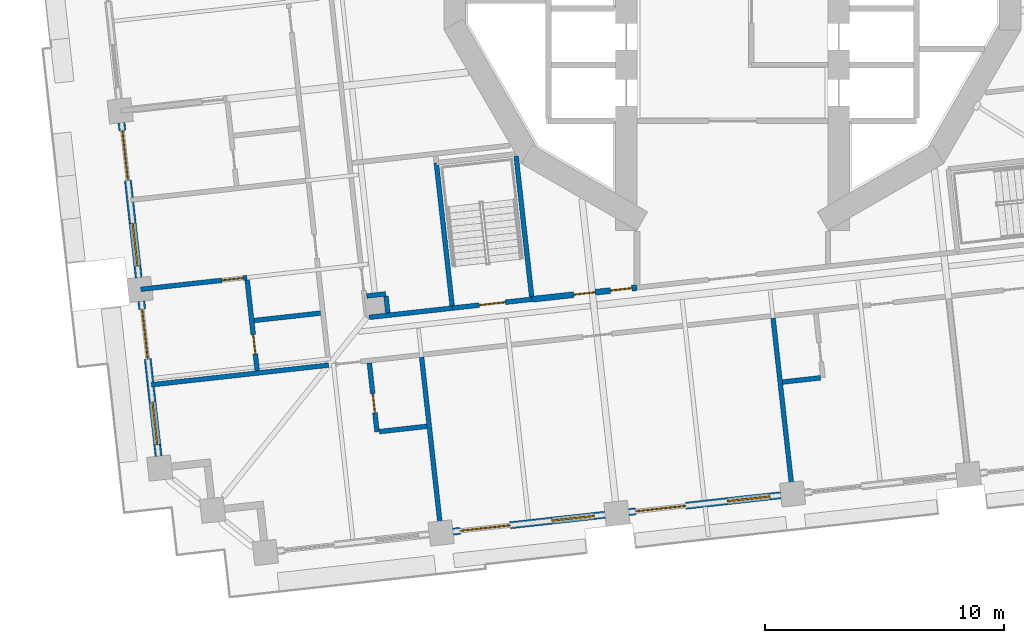
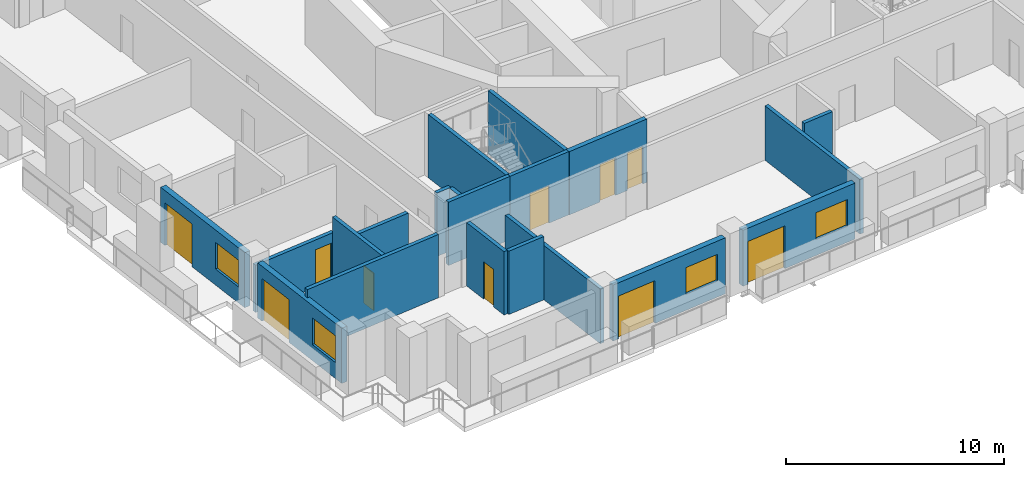
# One storey, part 7 of 20: 20 walls, 10 doors, 4 windows, 14 openings.
"""IFC4 building model written with IfcOpenShell, lengths in metres."""

from ifc_helpers import new_model, si_unit, direction, frame, frame_2d, origin, place, context, subcontext, project, spatial, rectangle, extrude, material, layer, layer_set, type_object, element, fill, save


model = new_model("IFC4")

# Units and contexts
model_context = context("Model", 3, precision=1e-05, world=origin(), true_north=direction((0.0, 1.0)))
body_context = subcontext(model_context, "Body", "Model", "MODEL_VIEW")
ifc_project = project(units=[si_unit("LENGTHUNIT", "METRE"), si_unit("AREAUNIT", "SQUARE_METRE"), si_unit("VOLUMEUNIT", "CUBIC_METRE"), si_unit("PLANEANGLEUNIT", "RADIAN"), si_unit("MASSUNIT", "GRAM", prefix="KILO")], contexts=[model_context])

# Site, building, storey
site_placement = place(None, origin())
site = spatial("IfcSite", under=ifc_project, at=site_placement, CompositionType="ELEMENT")
building_placement = place(site_placement, origin())
building = spatial("IfcBuilding", under=site, at=building_placement, Name="Cantera Rosa Tower", CompositionType="ELEMENT")
storey_placement = place(building_placement, frame((0.0, 0.0, 50.10009765625)))
storey = spatial("IfcBuildingStorey", under=building, at=storey_placement, Name="L09", CompositionType="ELEMENT", Elevation=50.10009765625)

# Wall
ifc_material_1 = material(Name="Gypsum board partition")
ifc_layer_1 = layer(ifc_material_1, 0.199951171875)
ifc_layer_set_1 = layer_set([ifc_layer_1], Name="CORRIDOR WALL 200 H3550")
wall_type_1 = type_object("IfcWallType", Name="CORRIDOR WALL 200 H3550", PredefinedType="PARTITIONING", material=ifc_layer_set_1)
wall_1_placement = place(storey_placement, frame((-15.208251953125, -15.27099609375, 0.0), z_axis=(0.0, 0.0, 1.0), x_axis=(0.993893064489, 0.110347525396, 0.0)))
element("IfcWall", 1, at=wall_1_placement, inside=storey, type_object=wall_type_1, Name="CORRIDOR WALL L09-024", PredefinedType="PARTITIONING", context=body_context, shape_type="SweptSolid", body=[
    extrude(rectangle(XDim=3.509033203125, YDim=0.199951171875, at=frame_2d((1.75439453125, 0.0))), origin(), (0.0, 0.0, 1.0), 3.5498046875),
])

# Wall, openings, window, door
ifc_material_2 = material(Name="Hollow clay masonry with cantera stone cladding", Category="masonry")
ifc_layer_2 = layer(ifc_material_2, 0.300048828125)
ifc_layer_set_2 = layer_set([ifc_layer_2], Name="EW-LOGGIA 300 H3090")
wall_type_2 = type_object("IfcWallType", Name="EW-LOGGIA 300 H3090", PredefinedType="SOLIDWALL", material=ifc_layer_set_2)
wall_2_placement = place(storey_placement, frame((-25.570068359375, -7.124267578125, 0.0), z_axis=(0.0, 0.0, 1.0), x_axis=(0.110312341265, -0.993896970196, 0.0)))
wall_2 = element("IfcWall", 2, at=wall_2_placement, inside=storey, type_object=wall_type_2, Name="EN-L09-W19", PredefinedType="SOLIDWALL", context=body_context, shape_type="SweptSolid", body=[
    extrude(rectangle(XDim=6.52001953125, YDim=0.300048828125, at=frame_2d((3.260009765625, 0.0))), origin(), (0.0, 0.0, 1.0), 3.08984375),
])
opening_1_placement = place(wall_2_placement, frame((0.330078125, 0.0, 0.0)))
opening_1 = element("IfcOpeningElement", 3, at=opening_1_placement, cuts=wall_2, Name="Opening L09-TD25", PredefinedType="OPENING", context=body_context, shape_type="SweptSolid", body=[
    extrude(rectangle(XDim=2.10009765625, YDim=2.39990234375, at=frame_2d((1.050048828125, 1.199951171875))), frame((0.0, 0.159912109375, 0.0), z_axis=(0.0, -1.0, 0.0), x_axis=(1.0, 0.0, 0.0)), (0.0, 0.0, 1.0), 0.320068359375),
])
opening_2_placement = place(wall_2_placement, frame((4.239990234375, 0.0, 0.89990234375)))
opening_2 = element("IfcOpeningElement", 4, at=opening_2_placement, cuts=wall_2, Name="Opening L09-W26", PredefinedType="OPENING", context=body_context, shape_type="SweptSolid", body=[
    extrude(rectangle(XDim=1.800048828125, YDim=1.5, at=frame_2d((0.89990234375, 0.75))), frame((0.0, 0.159912109375, 0.0), z_axis=(0.0, -1.0, 0.0), x_axis=(1.0, 0.0, 0.0)), (0.0, 0.0, 1.0), 0.320068359375),
])
ifc_material_3 = material(Name="Aluminium frame with clear glass", Category="aluminium")
window_type = type_object("IfcWindowType", Name="Hotel room window 1800x1500", PartitioningType="DOUBLE_PANEL_VERTICAL", PredefinedType="WINDOW", material=ifc_material_3)
window_1_placement = place(opening_2_placement, origin())
window_1 = element("IfcWindow", 5, at=window_1_placement, inside=storey, type_object=window_type, Name="WINDOW L09-W26", OverallHeight=1.5, OverallWidth=1.800048828125, PartitioningType="SINGLE_PANEL", PredefinedType="WINDOW", context=body_context, shape_type="SweptSolid", body=[
    extrude(rectangle(XDim=1.800048828125, YDim=1.5, at=frame_2d((0.89990234375, 0.75))), frame((0.0, 0.030029296875, 0.0), z_axis=(0.0, -1.0, 0.0), x_axis=(1.0, 0.0, 0.0)), (0.0, 0.0, 1.0), 0.06005859375),
])
fill(opening_2, window_1)
ifc_material_4 = material(Name="Aluminium frame with clear glass", Category="aluminium")
door_type_1 = type_object("IfcDoorType", Name="TD-H 2100x2400", OperationType="NOTDEFINED", PredefinedType="DOOR", material=ifc_material_4)
door_1_placement = place(opening_1_placement, origin())
door_1 = element("IfcDoor", 6, at=door_1_placement, inside=storey, type_object=door_type_1, Name="LOGGIA DOOR L09-TD25", OperationType="SLIDING_TO_LEFT", OverallHeight=2.39990234375, OverallWidth=2.10009765625, PredefinedType="DOOR", context=body_context, shape_type="SweptSolid", body=[
    extrude(rectangle(XDim=2.10009765625, YDim=2.39990234375, at=frame_2d((1.050048828125, 1.199951171875))), frame((0.0, 0.02490234375, 0.0), z_axis=(0.0, -1.0, 0.0), x_axis=(1.0, 0.0, 0.0)), (0.0, 0.0, 1.0), 0.050048828125),
])
fill(opening_1, door_1)

wall_3_placement = place(storey_placement, frame((-24.74072265625, -14.598388671875, 0.0), z_axis=(0.0, 0.0, 1.0), x_axis=(0.110312341265, -0.993896970196, 0.0)))
wall_3 = element("IfcWall", 7, at=wall_3_placement, inside=storey, type_object=wall_type_2, Name="EN-L09-W20", PredefinedType="SOLIDWALL", context=body_context, shape_type="SweptSolid", body=[
    extrude(rectangle(XDim=6.52001953125, YDim=0.300048828125, at=frame_2d((3.260009765625, 0.0))), origin(), (0.0, 0.0, 1.0), 3.08984375),
])
opening_3_placement = place(wall_3_placement, frame((0.330078125, 0.0, 0.0)))
opening_3 = element("IfcOpeningElement", 8, at=opening_3_placement, cuts=wall_3, Name="Opening L09-TD27", PredefinedType="OPENING", context=body_context, shape_type="SweptSolid", body=[
    extrude(rectangle(XDim=2.10009765625, YDim=2.39990234375, at=frame_2d((1.050048828125, 1.199951171875))), frame((0.0, 0.159912109375, 0.0), z_axis=(0.0, -1.0, 0.0), x_axis=(1.0, 0.0, 0.0)), (0.0, 0.0, 1.0), 0.320068359375),
])
opening_4_placement = place(wall_3_placement, frame((4.239990234375, 0.0, 0.89990234375)))
opening_4 = element("IfcOpeningElement", 9, at=opening_4_placement, cuts=wall_3, Name="Opening L09-W28", PredefinedType="OPENING", context=body_context, shape_type="SweptSolid", body=[
    extrude(rectangle(XDim=1.800048828125, YDim=1.5, at=frame_2d((0.89990234375, 0.75))), frame((0.0, 0.159912109375, 0.0), z_axis=(0.0, -1.0, 0.0), x_axis=(1.0, 0.0, 0.0)), (0.0, 0.0, 1.0), 0.320068359375),
])
window_2_placement = place(opening_4_placement, origin())
window_2 = element("IfcWindow", 10, at=window_2_placement, inside=storey, type_object=window_type, Name="WINDOW L09-W28", OverallHeight=1.5, OverallWidth=1.800048828125, PartitioningType="SINGLE_PANEL", PredefinedType="WINDOW", context=body_context, shape_type="SweptSolid", body=[
    extrude(rectangle(XDim=1.800048828125, YDim=1.5, at=frame_2d((0.89990234375, 0.75))), frame((0.0, 0.030029296875, 0.0), z_axis=(0.0, -1.0, 0.0), x_axis=(1.0, 0.0, 0.0)), (0.0, 0.0, 1.0), 0.06005859375),
])
fill(opening_4, window_2)
door_2_placement = place(opening_3_placement, origin())
door_2 = element("IfcDoor", 11, at=door_2_placement, inside=storey, type_object=door_type_1, Name="LOGGIA DOOR L09-TD27", OperationType="SLIDING_TO_LEFT", OverallHeight=2.39990234375, OverallWidth=2.10009765625, PredefinedType="DOOR", context=body_context, shape_type="SweptSolid", body=[
    extrude(rectangle(XDim=2.10009765625, YDim=2.39990234375, at=frame_2d((1.050048828125, 1.199951171875))), frame((0.0, 0.02490234375, 0.0), z_axis=(0.0, -1.0, 0.0), x_axis=(1.0, 0.0, 0.0)), (0.0, 0.0, 1.0), 0.050048828125),
])
fill(opening_3, door_2)

ifc_material_5 = material(Name="Hollow clay masonry with cantera stone cladding", Category="masonry")
ifc_layer_3 = layer(ifc_material_5, 0.300048828125)
ifc_layer_set_3 = layer_set([ifc_layer_3], Name="EW-LOGGIA 300 H3140")
wall_type_3 = type_object("IfcWallType", Name="EW-LOGGIA 300 H3140", PredefinedType="SOLIDWALL", material=ifc_layer_set_3)
wall_4_placement = place(storey_placement, frame((-11.697509765625, -24.23828125, 0.0), z_axis=(0.0, 0.0, 1.0), x_axis=(0.993895824271, 0.110322665379, 0.0)))
wall_4 = element("IfcWall", 12, at=wall_4_placement, inside=storey, type_object=wall_type_3, Name="EN-L09-W24", PredefinedType="SOLIDWALL", context=body_context, shape_type="SweptSolid", body=[
    extrude(rectangle(XDim=6.39990234375, YDim=0.300048828125, at=frame_2d((3.199951171875, 0.0))), origin(), (0.0, 0.0, 1.0), 3.139892578125),
])
opening_5_placement = place(wall_4_placement, frame((0.300048828125, 0.0, 0.0)))
opening_5 = element("IfcOpeningElement", 13, at=opening_5_placement, cuts=wall_4, Name="Opening L09-TD31", PredefinedType="OPENING", context=body_context, shape_type="SweptSolid", body=[
    extrude(rectangle(XDim=2.10009765625, YDim=2.39990234375, at=frame_2d((1.050048828125, 1.199951171875))), frame((0.0, 0.159912109375, 0.0), z_axis=(0.0, -1.0, 0.0), x_axis=(1.0, 0.0, 0.0)), (0.0, 0.0, 1.0), 0.320068359375),
])
opening_6_placement = place(wall_4_placement, frame((4.14990234375, 0.0, 0.89990234375)))
opening_6 = element("IfcOpeningElement", 14, at=opening_6_placement, cuts=wall_4, Name="Opening L09-W32", PredefinedType="OPENING", context=body_context, shape_type="SweptSolid", body=[
    extrude(rectangle(XDim=1.800048828125, YDim=1.5, at=frame_2d((0.89990234375, 0.75))), frame((0.0, 0.159912109375, 0.0), z_axis=(0.0, -1.0, 0.0), x_axis=(1.0, 0.0, 0.0)), (0.0, 0.0, 1.0), 0.320068359375),
])
window_3_placement = place(opening_6_placement, origin())
window_3 = element("IfcWindow", 15, at=window_3_placement, inside=storey, type_object=window_type, Name="WINDOW L09-W32", OverallHeight=1.5, OverallWidth=1.800048828125, PartitioningType="SINGLE_PANEL", PredefinedType="WINDOW", context=body_context, shape_type="SweptSolid", body=[
    extrude(rectangle(XDim=1.800048828125, YDim=1.5, at=frame_2d((0.89990234375, 0.75))), frame((0.0, 0.030029296875, 0.0), z_axis=(0.0, -1.0, 0.0), x_axis=(1.0, 0.0, 0.0)), (0.0, 0.0, 1.0), 0.06005859375),
])
fill(opening_6, window_3)
door_3_placement = place(opening_5_placement, origin())
door_3 = element("IfcDoor", 16, at=door_3_placement, inside=storey, type_object=door_type_1, Name="LOGGIA DOOR L09-TD31", OperationType="SLIDING_TO_LEFT", OverallHeight=2.39990234375, OverallWidth=2.10009765625, PredefinedType="DOOR", context=body_context, shape_type="SweptSolid", body=[
    extrude(rectangle(XDim=2.10009765625, YDim=2.39990234375, at=frame_2d((1.050048828125, 1.199951171875))), frame((0.0, 0.02490234375, 0.0), z_axis=(0.0, -1.0, 0.0), x_axis=(1.0, 0.0, 0.0)), (0.0, 0.0, 1.0), 0.050048828125),
])
fill(opening_5, door_3)

wall_5_placement = place(storey_placement, frame((-4.3427734375, -23.422119140625, 0.0), z_axis=(0.0, 0.0, 1.0), x_axis=(0.993895824271, 0.110322665379, 0.0)))
wall_5 = element("IfcWall", 17, at=wall_5_placement, inside=storey, type_object=wall_type_3, Name="EN-L09-W25", PredefinedType="SOLIDWALL", context=body_context, shape_type="SweptSolid", body=[
    extrude(rectangle(XDim=6.39990234375, YDim=0.300048828125, at=frame_2d((3.199951171875, 0.0))), origin(), (0.0, 0.0, 1.0), 3.139892578125),
])
opening_7_placement = place(wall_5_placement, frame((0.300048828125, 0.0, 0.0)))
opening_7 = element("IfcOpeningElement", 18, at=opening_7_placement, cuts=wall_5, Name="Opening L09-TD33", PredefinedType="OPENING", context=body_context, shape_type="SweptSolid", body=[
    extrude(rectangle(XDim=2.10009765625, YDim=2.39990234375, at=frame_2d((1.050048828125, 1.199951171875))), frame((0.0, 0.159912109375, 0.0), z_axis=(0.0, -1.0, 0.0), x_axis=(1.0, 0.0, 0.0)), (0.0, 0.0, 1.0), 0.320068359375),
])
opening_8_placement = place(wall_5_placement, frame((4.14990234375, 0.0, 0.89990234375)))
opening_8 = element("IfcOpeningElement", 19, at=opening_8_placement, cuts=wall_5, Name="Opening L09-W34", PredefinedType="OPENING", context=body_context, shape_type="SweptSolid", body=[
    extrude(rectangle(XDim=1.800048828125, YDim=1.5, at=frame_2d((0.89990234375, 0.75))), frame((0.0, 0.159912109375, 0.0), z_axis=(0.0, -1.0, 0.0), x_axis=(1.0, 0.0, 0.0)), (0.0, 0.0, 1.0), 0.320068359375),
])
window_4_placement = place(opening_8_placement, origin())
window_4 = element("IfcWindow", 20, at=window_4_placement, inside=storey, type_object=window_type, Name="WINDOW L09-W34", OverallHeight=1.5, OverallWidth=1.800048828125, PartitioningType="SINGLE_PANEL", PredefinedType="WINDOW", context=body_context, shape_type="SweptSolid", body=[
    extrude(rectangle(XDim=1.800048828125, YDim=1.5, at=frame_2d((0.89990234375, 0.75))), frame((0.0, 0.030029296875, 0.0), z_axis=(0.0, -1.0, 0.0), x_axis=(1.0, 0.0, 0.0)), (0.0, 0.0, 1.0), 0.06005859375),
])
fill(opening_8, window_4)
door_4_placement = place(opening_7_placement, origin())
door_4 = element("IfcDoor", 21, at=door_4_placement, inside=storey, type_object=door_type_1, Name="LOGGIA DOOR L09-TD33", OperationType="SLIDING_TO_LEFT", OverallHeight=2.39990234375, OverallWidth=2.10009765625, PredefinedType="DOOR", context=body_context, shape_type="SweptSolid", body=[
    extrude(rectangle(XDim=2.10009765625, YDim=2.39990234375, at=frame_2d((1.050048828125, 1.199951171875))), frame((0.0, 0.02490234375, 0.0), z_axis=(0.0, -1.0, 0.0), x_axis=(1.0, 0.0, 0.0)), (0.0, 0.0, 1.0), 0.050048828125),
])
fill(opening_7, door_4)

# Wall, opening, door
ifc_material_6 = material(Name="Gypsum board partition")
ifc_layer_4 = layer(ifc_material_6, 0.199951171875)
ifc_layer_set_4 = layer_set([ifc_layer_4], Name="PARTITION 200 H2650")
wall_type_4 = type_object("IfcWallType", Name="PARTITION 200 H2650", PredefinedType="PARTITIONING", material=ifc_layer_set_4)
wall_6_placement = place(storey_placement, frame((-24.76611328125, -14.097900390625, 0.0), z_axis=(0.0, 0.0, 1.0), x_axis=(0.993901704808, 0.1102696748, 0.0)))
wall_6 = element("IfcWall", 22, at=wall_6_placement, inside=storey, type_object=wall_type_4, Name="PARTITION L09-002", PredefinedType="PARTITIONING", context=body_context, shape_type="SweptSolid", body=[
    extrude(rectangle(XDim=4.47021484375, YDim=0.199951171875, at=frame_2d((2.235107421875, 0.0))), origin(), (0.0, 0.0, 1.0), 2.64990234375),
])
opening_9_placement = place(wall_6_placement, frame((3.419921875, 0.0, 0.0)))
opening_9 = element("IfcOpeningElement", 23, at=opening_9_placement, cuts=wall_6, Name="Opening L09-033", PredefinedType="OPENING", context=body_context, shape_type="SweptSolid", body=[
    extrude(rectangle(XDim=0.89990234375, YDim=2.10009765625, at=frame_2d((0.449951171875, 1.050048828125))), frame((0.0, 0.10986328125, 0.0), z_axis=(0.0, -1.0, 0.0), x_axis=(1.0, 0.0, 0.0)), (0.0, 0.0, 1.0), 0.219970703125),
])
ifc_material_7 = material(Name="Timber door leaf", Category="wood")
door_type_2 = type_object("IfcDoorType", Name="ROOM DOOR 900x2100", OperationType="NOTDEFINED", PredefinedType="DOOR", material=ifc_material_7)
door_5_placement = place(opening_9_placement, origin())
door_5 = element("IfcDoor", 24, at=door_5_placement, inside=storey, type_object=door_type_2, Name="DOOR L09-033", OperationType="NOTDEFINED", OverallHeight=2.10009765625, OverallWidth=0.89990234375, PredefinedType="DOOR", context=body_context, shape_type="SweptSolid", body=[
    extrude(rectangle(XDim=0.89990234375, YDim=2.10009765625, at=frame_2d((0.449951171875, 1.050048828125))), frame((0.0, 0.02490234375, 0.0), z_axis=(0.0, -1.0, 0.0), x_axis=(1.0, 0.0, 0.0)), (0.0, 0.0, 1.0), 0.050048828125),
])
fill(opening_9, door_5)

ifc_material_8 = material(Name="Gypsum board partition")
ifc_layer_5 = layer(ifc_material_8, 0.199951171875)
ifc_layer_set_5 = layer_set([ifc_layer_5], Name="PARTITION 200 H3550")
wall_type_5 = type_object("IfcWallType", Name="PARTITION 200 H3550", PredefinedType="PARTITIONING", material=ifc_layer_set_5)
wall_7_placement = place(storey_placement, frame((-20.312255859375, -13.704345703125, 0.0), z_axis=(0.0, 0.0, 1.0), x_axis=(0.110312274665, -0.993896977588, 0.0)))
wall_7 = element("IfcWall", 25, at=wall_7_placement, inside=storey, type_object=wall_type_5, Name="PARTITION L09-007", PredefinedType="PARTITIONING", context=body_context, shape_type="SweptSolid", body=[
    extrude(rectangle(XDim=3.81982421875, YDim=0.199951171875, at=frame_2d((1.909912109375, 0.0))), origin(), (0.0, 0.0, 1.0), 3.5498046875),
])
opening_10_placement = place(wall_7_placement, frame((2.31005859375, 0.0, 0.0)))
opening_10 = element("IfcOpeningElement", 26, at=opening_10_placement, cuts=wall_7, Name="Opening L09-034", PredefinedType="OPENING", context=body_context, shape_type="SweptSolid", body=[
    extrude(rectangle(XDim=0.800048828125, YDim=2.10009765625, at=frame_2d((0.39990234375, 1.050048828125))), frame((0.0, 0.10986328125, 0.0), z_axis=(0.0, -1.0, 0.0), x_axis=(1.0, 0.0, 0.0)), (0.0, 0.0, 1.0), 0.219970703125),
])
ifc_material_9 = material(Name="Timber door leaf", Category="wood")
door_type_3 = type_object("IfcDoorType", Name="BATHROOM DOOR 800x2100", OperationType="NOTDEFINED", PredefinedType="DOOR", material=ifc_material_9)
door_6_placement = place(opening_10_placement, origin())
door_6 = element("IfcDoor", 27, at=door_6_placement, inside=storey, type_object=door_type_3, Name="DOOR L09-034", OperationType="NOTDEFINED", OverallHeight=2.10009765625, OverallWidth=0.800048828125, PredefinedType="DOOR", context=body_context, shape_type="SweptSolid", body=[
    extrude(rectangle(XDim=0.800048828125, YDim=2.10009765625, at=frame_2d((0.39990234375, 1.050048828125))), frame((0.0, 0.02490234375, 0.0), z_axis=(0.0, -1.0, 0.0), x_axis=(1.0, 0.0, 0.0)), (0.0, 0.0, 1.0), 0.050048828125),
])
fill(opening_10, door_6)

# Wall
wall_8_placement = place(storey_placement, frame((-20.023193359375, -15.40283203125, 0.0), z_axis=(0.0, 0.0, 1.0), x_axis=(0.993898612038, 0.110297547524, 0.0)))
element("IfcWall", 28, at=wall_8_placement, inside=storey, type_object=wall_type_5, Name="PARTITION L09-010", PredefinedType="PARTITIONING", context=body_context, shape_type="SweptSolid", body=[
    extrude(rectangle(XDim=2.800048828125, YDim=0.199951171875, at=frame_2d((1.39990234375, 0.0))), origin(), (0.0, 0.0, 1.0), 3.5498046875),
])

# Wall, opening, door
wall_9_placement = place(storey_placement, frame((-14.87744140625, -20.063720703125, 0.0), z_axis=(0.0, 0.0, 1.0), x_axis=(-0.110366846939, 0.993890919114, 0.0)))
wall_9 = element("IfcWall", 29, at=wall_9_placement, inside=storey, type_object=wall_type_5, Name="PARTITION L09-025", PredefinedType="PARTITIONING", context=body_context, shape_type="SweptSolid", body=[
    extrude(rectangle(XDim=2.900146484375, YDim=0.199951171875, at=frame_2d((1.4501953125, 0.0))), origin(), (0.0, 0.0, 1.0), 3.5498046875),
])
opening_11_placement = place(wall_9_placement, frame((0.800048828125, 0.0, 0.0)))
opening_11 = element("IfcOpeningElement", 30, at=opening_11_placement, cuts=wall_9, Name="Opening L09-046", PredefinedType="OPENING", context=body_context, shape_type="SweptSolid", body=[
    extrude(rectangle(XDim=0.800048828125, YDim=2.10009765625, at=frame_2d((0.39990234375, 1.050048828125))), frame((0.0, 0.10986328125, 0.0), z_axis=(0.0, -1.0, 0.0), x_axis=(1.0, 0.0, 0.0)), (0.0, 0.0, 1.0), 0.219970703125),
])
door_7_placement = place(opening_11_placement, origin())
door_7 = element("IfcDoor", 31, at=door_7_placement, inside=storey, type_object=door_type_3, Name="DOOR L09-046", OperationType="NOTDEFINED", OverallHeight=2.10009765625, OverallWidth=0.800048828125, PredefinedType="DOOR", context=body_context, shape_type="SweptSolid", body=[
    extrude(rectangle(XDim=0.800048828125, YDim=2.10009765625, at=frame_2d((0.39990234375, 1.050048828125))), frame((0.0, 0.02490234375, 0.0), z_axis=(0.0, -1.0, 0.0), x_axis=(1.0, 0.0, 0.0)), (0.0, 0.0, 1.0), 0.050048828125),
])
fill(opening_11, door_7)

# Walls
wall_10_placement = place(storey_placement, frame((-14.512451171875, -14.2880859375, 0.0), z_axis=(0.0, 0.0, 1.0), x_axis=(-0.993880012744, -0.110465018303, 0.0)))
element("IfcWall", 32, at=wall_10_placement, inside=storey, type_object=wall_type_5, Name="PARTITION L09-027", PredefinedType="PARTITIONING", context=body_context, shape_type="SweptSolid", body=[
    extrude(rectangle(XDim=0.800048828125, YDim=0.199951171875, at=frame_2d((0.39990234375, 0.0))), origin(), (0.0, 0.0, 1.0), 3.5498046875),
])
wall_11_placement = place(storey_placement, frame((-14.42431640625, -15.083251953125, 0.0), z_axis=(0.0, 0.0, 1.0), x_axis=(-0.110201865026, 0.993909225707, 0.0)))
element("IfcWall", 33, at=wall_11_placement, inside=storey, type_object=wall_type_5, Name="PARTITION L09-029", PredefinedType="PARTITIONING", context=body_context, shape_type="SweptSolid", body=[
    extrude(rectangle(XDim=0.699951171875, YDim=0.199951171875, at=frame_2d((0.35009765625, 0.0))), origin(), (0.0, 0.0, 1.0), 3.5498046875),
])
wall_12_placement = place(storey_placement, frame((-12.790283203125, -19.83203125, 0.0), z_axis=(0.0, 0.0, 1.0), x_axis=(-0.993906044505, -0.110230552467, 0.0)))
element("IfcWall", 34, at=wall_12_placement, inside=storey, type_object=wall_type_5, Name="PARTITION L09-031", PredefinedType="PARTITIONING", context=body_context, shape_type="SweptSolid", body=[
    extrude(rectangle(XDim=2.0, YDim=0.199951171875, at=frame_2d((1.0, 0.0))), origin(), (0.0, 0.0, 1.0), 3.5498046875),
])
wall_13_placement = place(storey_placement, frame((3.686279296875, -17.802001953125, 0.0), z_axis=(0.0, 0.0, 1.0), x_axis=(-0.99389675276, -0.110314300314, 0.0)))
element("IfcWall", 35, at=wall_13_placement, inside=storey, type_object=wall_type_5, Name="PARTITION L09-060", PredefinedType="PARTITIONING", context=body_context, shape_type="SweptSolid", body=[
    extrude(rectangle(XDim=1.60009765625, YDim=0.199951171875, at=frame_2d((0.800048828125, 0.0))), origin(), (0.0, 0.0, 1.0), 3.5498046875),
])
ifc_material_10 = material(Name="Gypsum board partition")
ifc_layer_6 = layer(ifc_material_10, 0.199951171875)
ifc_layer_set_6 = layer_set([ifc_layer_6], Name="PARTY WALL 200 H3050")
wall_type_6 = type_object("IfcWallType", Name="PARTY WALL 200 H3050", PredefinedType="PARTITIONING", material=ifc_layer_set_6)
wall_14_placement = place(storey_placement, frame((-12.197998046875, -24.263671875, 0.0), z_axis=(0.0, 0.0, 1.0), x_axis=(-0.11031154238, 0.993897058864, 0.0)))
element("IfcWall", 36, at=wall_14_placement, inside=storey, type_object=wall_type_6, Name="PARTY WALL L09-035", PredefinedType="PARTITIONING", context=body_context, shape_type="SweptSolid", body=[
    extrude(rectangle(XDim=7.369873046875, YDim=0.199951171875, at=frame_2d((3.68505859375, 0.0))), origin(), (0.0, 0.0, 1.0), 3.0498046875),
])
wall_15_placement = place(storey_placement, frame((1.69873046875, -15.305908203125, 0.0), z_axis=(0.0, 0.0, 1.0), x_axis=(0.110307910555, -0.993897461949, 0.0)))
element("IfcWall", 37, at=wall_15_placement, inside=storey, type_object=wall_type_6, Name="PARTY WALL L09-058", PredefinedType="PARTITIONING", context=body_context, shape_type="SweptSolid", body=[
    extrude(rectangle(XDim=7.3701171875, YDim=0.199951171875, at=frame_2d((3.68505859375, 0.0))), origin(), (0.0, 0.0, 1.0), 3.0498046875),
])
ifc_material_11 = material(Name="Gypsum board partition")
ifc_layer_7 = layer(ifc_material_11, 0.199951171875)
ifc_layer_set_7 = layer_set([ifc_layer_7], Name="PARTY WALL 200 H3550")
wall_type_7 = type_object("IfcWallType", Name="PARTY WALL 200 H3550", PredefinedType="PARTITIONING", material=ifc_layer_set_7)
wall_16_placement = place(storey_placement, frame((-24.322509765625, -18.093505859375, 0.0), z_axis=(0.0, 0.0, 1.0), x_axis=(0.993897676912, 0.110305973679, 0.0)))
element("IfcWall", 38, at=wall_16_placement, inside=storey, type_object=wall_type_7, Name="PARTY WALL L09-003", PredefinedType="PARTITIONING", context=body_context, shape_type="SweptSolid", body=[
    extrude(rectangle(XDim=7.469970703125, YDim=0.199951171875, at=frame_2d((3.73486328125, 0.0))), origin(), (0.0, 0.0, 1.0), 3.5498046875),
])

# Wall, openings, doors
ifc_material_12 = material(Name="Masonry blockwork", Category="masonry")
ifc_layer_8 = layer(ifc_material_12, 0.25)
ifc_layer_set_8 = layer_set([ifc_layer_8], Name="SHAFT WALL 250 H3550")
wall_type_8 = type_object("IfcWallType", Name="SHAFT WALL 250 H3550", PredefinedType="SOLIDWALL", material=ifc_layer_set_8)
wall_17_placement = place(storey_placement, frame((-8.391357421875, -14.51416015625, 0.0), z_axis=(0.0, 0.0, 1.0), x_axis=(0.993899223668, 0.110292035939, 0.0)))
wall_17 = element("IfcWall", 39, at=wall_17_placement, inside=storey, type_object=wall_type_8, Name="SHAFT WALL L09-042", PredefinedType="SOLIDWALL", context=body_context, shape_type="SweptSolid", body=[
    extrude(rectangle(XDim=4.418212890625, YDim=0.25, at=frame_2d((2.208984375, 0.0))), origin(), (0.0, 0.0, 1.0), 3.5498046875),
])
opening_12_placement = place(wall_17_placement, frame((3.305419921875, 0.0, 0.0)))
opening_12 = element("IfcOpeningElement", 40, at=opening_12_placement, cuts=wall_17, Name="Opening L09-008", PredefinedType="OPENING", context=body_context, shape_type="SweptSolid", body=[
    extrude(rectangle(XDim=0.89990234375, YDim=2.10009765625, at=frame_2d((0.449951171875, 1.050048828125))), frame((0.0, 0.135009765625, 0.0), z_axis=(0.0, -1.0, 0.0), x_axis=(1.0, 0.0, 0.0)), (0.0, 0.0, 1.0), 0.27001953125),
])
opening_13_placement = place(wall_17_placement, frame((1.759033203125, 0.0, 0.0)))
opening_13 = element("IfcOpeningElement", 41, at=opening_13_placement, cuts=wall_17, Name="Opening L09-049", PredefinedType="OPENING", context=body_context, shape_type="SweptSolid", body=[
    extrude(rectangle(XDim=0.89990234375, YDim=2.10009765625, at=frame_2d((0.449951171875, 1.050048828125))), frame((0.0, 0.135009765625, 0.0), z_axis=(0.0, -1.0, 0.0), x_axis=(1.0, 0.0, 0.0)), (0.0, 0.0, 1.0), 0.27001953125),
])
ifc_material_13 = material(Name="Timber door leaf", Category="wood")
door_type_4 = type_object("IfcDoorType", Name="SERVICE DOOR 900x2100", OperationType="NOTDEFINED", PredefinedType="DOOR", material=ifc_material_13)
door_8_placement = place(opening_12_placement, origin())
door_8 = element("IfcDoor", 42, at=door_8_placement, inside=storey, type_object=door_type_4, Name="RISER DOOR L09-008", OperationType="NOTDEFINED", OverallHeight=2.10009765625, OverallWidth=0.89990234375, PredefinedType="DOOR", context=body_context, shape_type="SweptSolid", body=[
    extrude(rectangle(XDim=0.89990234375, YDim=2.10009765625, at=frame_2d((0.449951171875, 1.050048828125))), frame((0.0, 0.02490234375, 0.0), z_axis=(0.0, -1.0, 0.0), x_axis=(1.0, 0.0, 0.0)), (0.0, 0.0, 1.0), 0.050048828125),
])
fill(opening_12, door_8)
door_9_placement = place(opening_13_placement, origin())
door_9 = element("IfcDoor", 43, at=door_9_placement, inside=storey, type_object=door_type_4, Name="RISER DOOR L09-049", OperationType="NOTDEFINED", OverallHeight=2.10009765625, OverallWidth=0.89990234375, PredefinedType="DOOR", context=body_context, shape_type="SweptSolid", body=[
    extrude(rectangle(XDim=0.89990234375, YDim=2.10009765625, at=frame_2d((0.449951171875, 1.050048828125))), frame((0.0, 0.02490234375, 0.0), z_axis=(0.0, -1.0, 0.0), x_axis=(1.0, 0.0, 0.0)), (0.0, 0.0, 1.0), 0.050048828125),
])
fill(opening_13, door_9)

# Wall
ifc_material_14 = material(Name="Concrete C50/60", Category="concrete")
ifc_layer_9 = layer(ifc_material_14, 0.199951171875)
ifc_layer_set_9 = layer_set([ifc_layer_9], Name="STAIR WALL 200 H3550")
wall_type_9 = type_object("IfcWallType", Name="STAIR WALL 200 H3550", PredefinedType="SOLIDWALL", material=ifc_layer_set_9)
wall_18_placement = place(storey_placement, frame((-12.395751953125, -8.802978515625, 0.0), z_axis=(0.0, 0.0, 1.0), x_axis=(0.110335171461, -0.993894436014, 0.0)))
element("IfcWall", 44, at=wall_18_placement, inside=storey, type_object=wall_type_9, Name="STAIR WALL L09-033", PredefinedType="SOLIDWALL", context=body_context, shape_type="SweptSolid", body=[
    extrude(rectangle(XDim=6.1181640625, YDim=0.199951171875, at=frame_2d((3.05908203125, 0.0))), origin(), (0.0, 0.0, 1.0), 3.5498046875),
])

# Wall, opening, door
wall_19_placement = place(storey_placement, frame((-11.720703125, -14.8837890625, 0.0), z_axis=(0.0, 0.0, 1.0), x_axis=(0.993893507649, 0.110343533811, 0.0)))
wall_19 = element("IfcWall", 45, at=wall_19_placement, inside=storey, type_object=wall_type_9, Name="STAIR WALL L09-036", PredefinedType="SOLIDWALL", context=body_context, shape_type="SweptSolid", body=[
    extrude(rectangle(XDim=3.349853515625, YDim=0.199951171875, at=frame_2d((1.6748046875, 0.0))), origin(), (0.0, 0.0, 1.0), 3.5498046875),
])
opening_14_placement = place(wall_19_placement, frame((1.125, 0.0, 0.0)))
opening_14 = element("IfcOpeningElement", 46, at=opening_14_placement, cuts=wall_19, Name="Opening L09-003", PredefinedType="OPENING", context=body_context, shape_type="SweptSolid", body=[
    extrude(rectangle(XDim=1.10009765625, YDim=2.10009765625, at=frame_2d((0.550048828125, 1.050048828125))), frame((0.0, 0.10986328125, 0.0), z_axis=(0.0, -1.0, 0.0), x_axis=(1.0, 0.0, 0.0)), (0.0, 0.0, 1.0), 0.219970703125),
])
ifc_material_15 = material(Name="Steel S355J2 (EN 10025-2)", Category="steel")
door_type_5 = type_object("IfcDoorType", Name="STAIR DOOR 1100x2100", OperationType="NOTDEFINED", PredefinedType="DOOR", material=ifc_material_15)
door_10_placement = place(opening_14_placement, origin())
door_10 = element("IfcDoor", 47, at=door_10_placement, inside=storey, type_object=door_type_5, Name="DOOR L09-003", OperationType="NOTDEFINED", OverallHeight=2.10009765625, OverallWidth=1.10009765625, PredefinedType="DOOR", context=body_context, shape_type="SweptSolid", body=[
    extrude(rectangle(XDim=1.10009765625, YDim=2.10009765625, at=frame_2d((0.550048828125, 1.050048828125))), frame((0.0, 0.02490234375, 0.0), z_axis=(0.0, -1.0, 0.0), x_axis=(1.0, 0.0, 0.0)), (0.0, 0.0, 1.0), 0.050048828125),
])
fill(opening_14, door_10)

# Wall
wall_20_placement = place(storey_placement, frame((-8.391357421875, -14.51416015625, 0.0), z_axis=(0.0, 0.0, 1.0), x_axis=(-0.11031151838, 0.993897061527, 0.0)))
element("IfcWall", 48, at=wall_20_placement, inside=storey, type_object=wall_type_9, Name="STAIR WALL L09-041", PredefinedType="SOLIDWALL", context=body_context, shape_type="SweptSolid", body=[
    extrude(rectangle(XDim=6.02880859375, YDim=0.199951171875, at=frame_2d((3.014404296875, 0.0))), origin(), (0.0, 0.0, 1.0), 3.5498046875),
])

save(model, "model.ifc")
